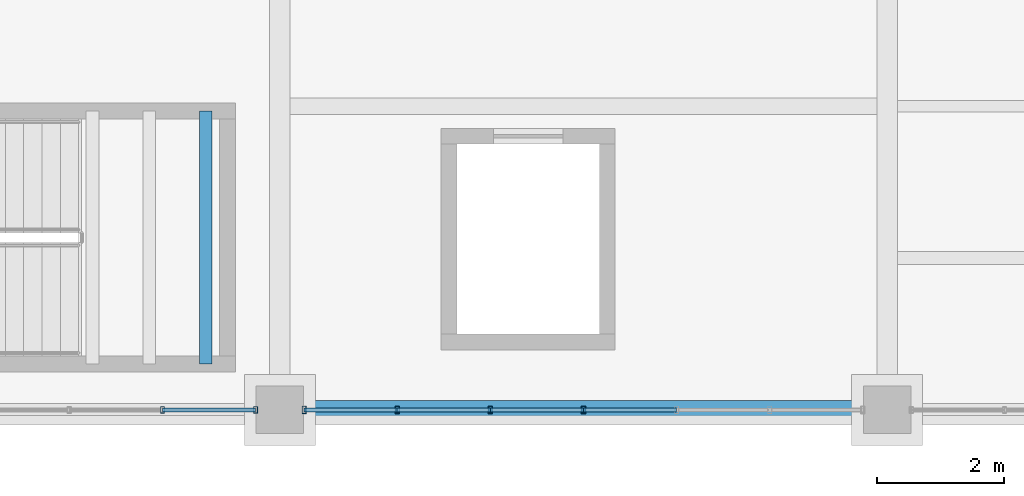
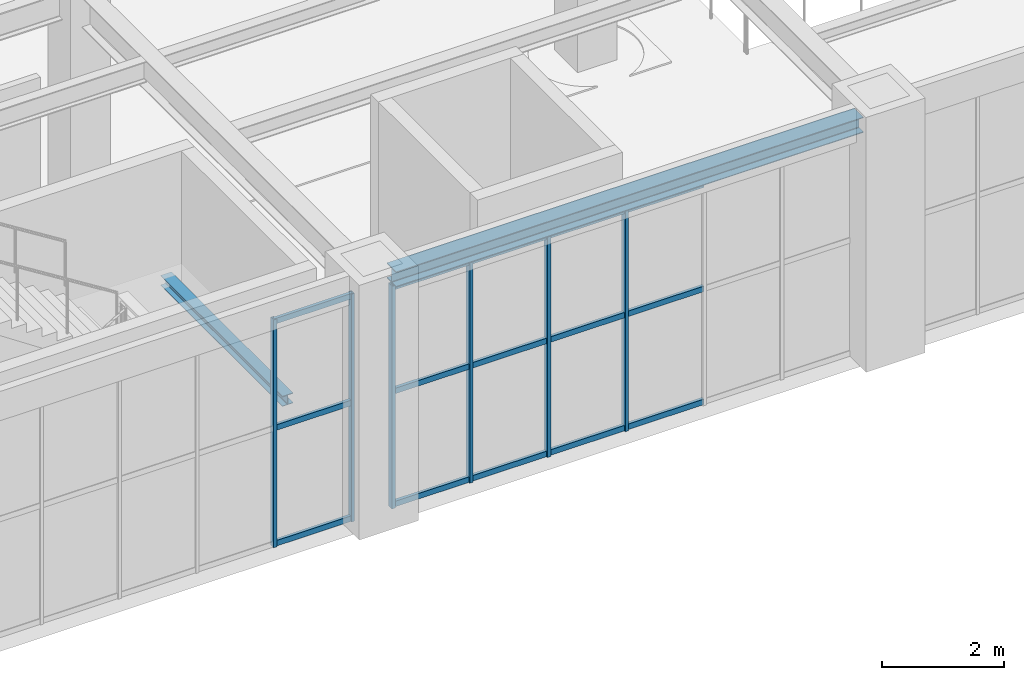
# One storey, part 6 of 174: 21 members, 2 beams, 2 elements without a shape of their own.
"""IFC4 building model written with IfcOpenShell, lengths in metres."""

from ifc_helpers import new_model, si_unit, direction, frame, origin, origin_2d, place, context, subcontext, project, spatial, hollow_rectangle, i_section, extrude, material, material_profile, profile_set, type_object, element, aggregate, save


model = new_model("IFC4")

# Units and contexts
model_context = context("Model", 3, precision=1e-05, world=origin(), true_north=direction((0.0, 1.0)))
body_context = subcontext(model_context, "Body", "Model", "MODEL_VIEW")
ifc_project = project(units=[si_unit("LENGTHUNIT", "METRE"), si_unit("AREAUNIT", "SQUARE_METRE"), si_unit("VOLUMEUNIT", "CUBIC_METRE"), si_unit("PLANEANGLEUNIT", "RADIAN"), si_unit("MASSUNIT", "GRAM", prefix="KILO")], contexts=[model_context])

# Site, building, storey
site_placement = place(None, origin())
site = spatial("IfcSite", under=ifc_project, at=site_placement, CompositionType="ELEMENT")
building_placement = place(site_placement, origin())
building = spatial("IfcBuilding", under=site, at=building_placement, Name="Mavantir Sound Aquarium", CompositionType="ELEMENT")
storey_placement = place(building_placement, frame((0.0, 0.0, 5.39990234375)))
storey = spatial("IfcBuildingStorey", under=building, at=storey_placement, Name="L01", CompositionType="ELEMENT", Elevation=5.39990234375)

# Beams
ifc_material_1 = material(Name="Structural Steel ASTM A992 Gr50", Category="steel")
ifc_material_profile_1 = material_profile(ifc_material_1, i_section(OverallWidth=0.202880859375, OverallDepth=0.202880859375, WebThickness=0.007080078125, FlangeThickness=0.010986328125, FilletRadius=0.010009765625, at=origin_2d()), Name="W200X46")
ifc_profile_set_1 = profile_set([ifc_material_profile_1], Name="Structural Steel ASTM A992 Gr50")
beam_type_1 = type_object("IfcBeamType", Name="BM-W200X46-I", PredefinedType="LINTEL", material=ifc_profile_set_1)
beam_1_placement = place(storey_placement, frame((8.429931640625, 0.72509765625, 2.24560546875), z_axis=(0.0, 1.0, 0.0), x_axis=(-1.0, 0.0, 0.0)))
element("IfcBeam", 1, at=beam_1_placement, inside=storey, type_object=beam_type_1, Name="Stair ST3 landing support beam 48", PredefinedType="LINTEL", context=body_context, shape_type="SweptSolid", body=[
    extrude(i_section(OverallWidth=0.202880859375, OverallDepth=0.202880859375, WebThickness=0.007080078125, FlangeThickness=0.010986328125, FilletRadius=0.010009765625, at=origin_2d()), origin(), (0.0, 0.0, 1.0), 4.0),
])
ifc_material_profile_2 = material_profile(ifc_material_1, i_section(OverallWidth=0.304931640625, OverallDepth=0.30810546875, WebThickness=0.010009765625, FlangeThickness=0.015380859375, FilletRadius=0.014892578125, at=origin_2d()), Name="W310X97")
ifc_profile_set_2 = profile_set([ifc_material_profile_2], Name="Structural Steel ASTM A992 Gr50")
beam_type_2 = type_object("IfcBeamType", Name="BM-W310X97-E", PredefinedType="SPANDREL", material=ifc_profile_set_2)
beam_2_placement = place(storey_placement, frame((9.97509765625, 0.0, 4.64208984375), z_axis=(1.0, 0.0, 0.0), x_axis=(0.0, 1.0, 0.0)))
element("IfcBeam", 2, at=beam_2_placement, inside=storey, type_object=beam_type_2, Name="L01 primary beam SS-31A 1207", PredefinedType="SPANDREL", context=body_context, shape_type="SweptSolid", body=[
    extrude(i_section(OverallWidth=0.304931640625, OverallDepth=0.30810546875, WebThickness=0.010009765625, FlangeThickness=0.015380859375, FilletRadius=0.014892578125, at=origin_2d()), origin(), (0.0, 0.0, 1.0), 8.849853515625),
])

# Curtain wall, members
ifc_material_2 = material(Name="Anodised Marine Aluminium and Low-E Glass", Category="aluminium")
curtain_wall_type_1 = type_object("IfcCurtainWallType", Name="CW-T05", PredefinedType="USERDEFINED", material=ifc_material_2)
curtain_wall_1_placement = place(storey_placement, origin())
curtain_wall_1 = element("IfcCurtainWall", 3, at=curtain_wall_1_placement, inside=storey, type_object=curtain_wall_type_1, Name="L01 unitised curtain wall CW-05 77", ObjectType="UNITISED GLAZING", PredefinedType="USERDEFINED")
ifc_material_3 = material(Name="Anodised Marine Aluminium 6063-T6", Category="aluminium")
ifc_material_profile_3 = material_profile(ifc_material_3, hollow_rectangle(XDim=0.06005859375, YDim=0.10009765625, WallThickness=0.00390625, at=origin_2d()), Name="ALU-MULLION-100X60")
ifc_profile_set_3 = profile_set([ifc_material_profile_3], Name="Anodised Marine Aluminium 6063-T6")
member_type_1 = type_object("IfcMemberType", Name="CW-MUL-100", PredefinedType="MULLION", material=ifc_profile_set_3)
member_1_placement = place(storey_placement, frame((7.74462890625, 0.0, 0.0), z_axis=(0.0, 0.0, 1.0), x_axis=(1.0, 0.0, 0.0)))
member_1 = element("IfcMember", 4, at=member_1_placement, type_object=member_type_1, Name="CW-L01-077 vertical mullion 6", PredefinedType="MULLION", context=body_context, shape_type="SweptSolid", body=[
    extrude(hollow_rectangle(XDim=0.06005859375, YDim=0.10009765625, WallThickness=0.00390625, at=origin_2d()), origin(), (0.0, 0.0, 1.0), 4.56298828125),
])
member_2_placement = place(storey_placement, frame((9.217041015625, 0.0, 0.0), z_axis=(0.0, 0.0, 1.0), x_axis=(1.0, 0.0, 0.0)))
member_2 = element("IfcMember", 5, at=member_2_placement, type_object=member_type_1, Name="CW-L01-077 vertical mullion 7", PredefinedType="MULLION", context=body_context, shape_type="SweptSolid", body=[
    extrude(hollow_rectangle(XDim=0.06005859375, YDim=0.10009765625, WallThickness=0.00390625, at=origin_2d()), origin(), (0.0, 0.0, 1.0), 4.56298828125),
])

curtain_wall_type_2 = type_object("IfcCurtainWallType", Name="CW-T06", PredefinedType="USERDEFINED", material=ifc_material_2)
curtain_wall_2_placement = place(storey_placement, origin())
curtain_wall_2 = element("IfcCurtainWall", 6, at=curtain_wall_2_placement, inside=storey, type_object=curtain_wall_type_2, Name="L01 unitised curtain wall CW-06 78", ObjectType="UNITISED GLAZING", PredefinedType="USERDEFINED")
ifc_material_profile_4 = material_profile(ifc_material_3, hollow_rectangle(XDim=0.06494140625, YDim=0.1201171875, WallThickness=0.00390625, at=origin_2d()), Name="ALU-MULLION-120X65")
ifc_profile_set_4 = profile_set([ifc_material_profile_4], Name="Anodised Marine Aluminium 6063-T6")
member_type_2 = type_object("IfcMemberType", Name="CW-MUL-120", PredefinedType="MULLION", material=ifc_profile_set_4)
member_3_placement = place(storey_placement, frame((9.98291015625, 0.0, 0.0), z_axis=(0.0, 0.0, 1.0), x_axis=(1.0, 0.0, 0.0)))
member_3 = element("IfcMember", 7, at=member_3_placement, type_object=member_type_2, Name="CW-L01-078 vertical mullion 1", PredefinedType="MULLION", context=body_context, shape_type="SweptSolid", body=[
    extrude(hollow_rectangle(XDim=0.06494140625, YDim=0.1201171875, WallThickness=0.00390625, at=origin_2d()), origin(), (0.0, 0.0, 1.0), 4.4580078125),
])
member_4_placement = place(storey_placement, frame((11.455322265625, 0.0, 0.0), z_axis=(0.0, 0.0, 1.0), x_axis=(1.0, 0.0, 0.0)))
member_4 = element("IfcMember", 8, at=member_4_placement, type_object=member_type_2, Name="CW-L01-078 vertical mullion 2", PredefinedType="MULLION", context=body_context, shape_type="SweptSolid", body=[
    extrude(hollow_rectangle(XDim=0.06494140625, YDim=0.1201171875, WallThickness=0.00390625, at=origin_2d()), origin(), (0.0, 0.0, 1.0), 4.4580078125),
])
member_5_placement = place(storey_placement, frame((12.927734375, 0.0, 0.0), z_axis=(0.0, 0.0, 1.0), x_axis=(1.0, 0.0, 0.0)))
member_5 = element("IfcMember", 9, at=member_5_placement, type_object=member_type_2, Name="CW-L01-078 vertical mullion 3", PredefinedType="MULLION", context=body_context, shape_type="SweptSolid", body=[
    extrude(hollow_rectangle(XDim=0.06494140625, YDim=0.1201171875, WallThickness=0.00390625, at=origin_2d()), origin(), (0.0, 0.0, 1.0), 4.4580078125),
])
member_6_placement = place(storey_placement, frame((14.39990234375, 0.0, 0.0), z_axis=(0.0, 0.0, 1.0), x_axis=(1.0, 0.0, 0.0)))
member_6 = element("IfcMember", 10, at=member_6_placement, type_object=member_type_2, Name="CW-L01-078 vertical mullion 4", PredefinedType="MULLION", context=body_context, shape_type="SweptSolid", body=[
    extrude(hollow_rectangle(XDim=0.06494140625, YDim=0.1201171875, WallThickness=0.00390625, at=origin_2d()), origin(), (0.0, 0.0, 1.0), 4.4580078125),
])

# Member
ifc_material_profile_5 = material_profile(ifc_material_3, hollow_rectangle(XDim=0.06005859375, YDim=0.110107421875, WallThickness=0.00390625, at=origin_2d()), Name="ALU-TRANSOM-110X60")
ifc_profile_set_5 = profile_set([ifc_material_profile_5], Name="Anodised Marine Aluminium 6063-T6")
member_type_3 = type_object("IfcMemberType", Name="CW-TRN-110", PredefinedType="USERDEFINED", material=ifc_profile_set_5)
member_7_placement = place(storey_placement, frame((7.74462890625, 0.0, 0.05517578125), z_axis=(1.0, 0.0, 0.0), x_axis=(0.0, 1.0, 0.0)))
member_7 = element("IfcMember", 11, at=member_7_placement, type_object=member_type_3, Name="CW-L01-077 transom 6.1", ObjectType="TRANSOM", PredefinedType="USERDEFINED", context=body_context, shape_type="SweptSolid", body=[
    extrude(hollow_rectangle(XDim=0.06005859375, YDim=0.110107421875, WallThickness=0.00390625, at=origin_2d()), origin(), (0.0, 0.0, 1.0), 1.472412109375),
])

member_8_placement = place(storey_placement, frame((7.74462890625, 0.0, 2.372802734375), z_axis=(1.0, 0.0, 0.0), x_axis=(0.0, 1.0, 0.0)))
member_8 = element("IfcMember", 12, at=member_8_placement, type_object=member_type_3, Name="CW-L01-077 transom 6.2", ObjectType="TRANSOM", PredefinedType="USERDEFINED", context=body_context, shape_type="SweptSolid", body=[
    extrude(hollow_rectangle(XDim=0.06005859375, YDim=0.110107421875, WallThickness=0.00390625, at=origin_2d()), origin(), (0.0, 0.0, 1.0), 1.472412109375),
])

member_9_placement = place(storey_placement, frame((7.74462890625, 0.0, 4.508056640625), z_axis=(1.0, 0.0, 0.0), x_axis=(0.0, 1.0, 0.0)))
member_9 = element("IfcMember", 13, at=member_9_placement, type_object=member_type_3, Name="CW-L01-077 transom 6.3", ObjectType="TRANSOM", PredefinedType="USERDEFINED", context=body_context, shape_type="SweptSolid", body=[
    extrude(hollow_rectangle(XDim=0.06005859375, YDim=0.110107421875, WallThickness=0.00390625, at=origin_2d()), origin(), (0.0, 0.0, 1.0), 1.472412109375),
])

aggregate(curtain_wall_1, [member_1, member_2, member_7, member_8, member_9])

member_10_placement = place(storey_placement, frame((9.98291015625, 0.0, 0.05517578125), z_axis=(1.0, 0.0, 0.0), x_axis=(0.0, 1.0, 0.0)))
member_10 = element("IfcMember", 14, at=member_10_placement, type_object=member_type_3, Name="CW-L01-078 transom 1.1", ObjectType="TRANSOM", PredefinedType="USERDEFINED", context=body_context, shape_type="SweptSolid", body=[
    extrude(hollow_rectangle(XDim=0.06005859375, YDim=0.110107421875, WallThickness=0.00390625, at=origin_2d()), origin(), (0.0, 0.0, 1.0), 1.472412109375),
])

member_11_placement = place(storey_placement, frame((9.98291015625, 0.0, 2.318359375), z_axis=(1.0, 0.0, 0.0), x_axis=(0.0, 1.0, 0.0)))
member_11 = element("IfcMember", 15, at=member_11_placement, type_object=member_type_3, Name="CW-L01-078 transom 1.2", ObjectType="TRANSOM", PredefinedType="USERDEFINED", context=body_context, shape_type="SweptSolid", body=[
    extrude(hollow_rectangle(XDim=0.06005859375, YDim=0.110107421875, WallThickness=0.00390625, at=origin_2d()), origin(), (0.0, 0.0, 1.0), 1.472412109375),
])

member_12_placement = place(storey_placement, frame((9.98291015625, 0.0, 4.403076171875), z_axis=(1.0, 0.0, 0.0), x_axis=(0.0, 1.0, 0.0)))
member_12 = element("IfcMember", 16, at=member_12_placement, type_object=member_type_3, Name="CW-L01-078 transom 1.3", ObjectType="TRANSOM", PredefinedType="USERDEFINED", context=body_context, shape_type="SweptSolid", body=[
    extrude(hollow_rectangle(XDim=0.06005859375, YDim=0.110107421875, WallThickness=0.00390625, at=origin_2d()), origin(), (0.0, 0.0, 1.0), 1.472412109375),
])

member_13_placement = place(storey_placement, frame((11.455322265625, 0.0, 0.05517578125), z_axis=(1.0, 0.0, 0.0), x_axis=(0.0, 1.0, 0.0)))
member_13 = element("IfcMember", 17, at=member_13_placement, type_object=member_type_3, Name="CW-L01-078 transom 2.1", ObjectType="TRANSOM", PredefinedType="USERDEFINED", context=body_context, shape_type="SweptSolid", body=[
    extrude(hollow_rectangle(XDim=0.06005859375, YDim=0.110107421875, WallThickness=0.00390625, at=origin_2d()), origin(), (0.0, 0.0, 1.0), 1.472412109375),
])

member_14_placement = place(storey_placement, frame((11.455322265625, 0.0, 2.318359375), z_axis=(1.0, 0.0, 0.0), x_axis=(0.0, 1.0, 0.0)))
member_14 = element("IfcMember", 18, at=member_14_placement, type_object=member_type_3, Name="CW-L01-078 transom 2.2", ObjectType="TRANSOM", PredefinedType="USERDEFINED", context=body_context, shape_type="SweptSolid", body=[
    extrude(hollow_rectangle(XDim=0.06005859375, YDim=0.110107421875, WallThickness=0.00390625, at=origin_2d()), origin(), (0.0, 0.0, 1.0), 1.472412109375),
])

member_15_placement = place(storey_placement, frame((11.455322265625, 0.0, 4.403076171875), z_axis=(1.0, 0.0, 0.0), x_axis=(0.0, 1.0, 0.0)))
member_15 = element("IfcMember", 19, at=member_15_placement, type_object=member_type_3, Name="CW-L01-078 transom 2.3", ObjectType="TRANSOM", PredefinedType="USERDEFINED", context=body_context, shape_type="SweptSolid", body=[
    extrude(hollow_rectangle(XDim=0.06005859375, YDim=0.110107421875, WallThickness=0.00390625, at=origin_2d()), origin(), (0.0, 0.0, 1.0), 1.472412109375),
])

member_16_placement = place(storey_placement, frame((12.927734375, 0.0, 0.05517578125), z_axis=(1.0, 0.0, 0.0), x_axis=(0.0, 1.0, 0.0)))
member_16 = element("IfcMember", 20, at=member_16_placement, type_object=member_type_3, Name="CW-L01-078 transom 3.1", ObjectType="TRANSOM", PredefinedType="USERDEFINED", context=body_context, shape_type="SweptSolid", body=[
    extrude(hollow_rectangle(XDim=0.06005859375, YDim=0.110107421875, WallThickness=0.00390625, at=origin_2d()), origin(), (0.0, 0.0, 1.0), 1.47216796875),
])

member_17_placement = place(storey_placement, frame((12.927734375, 0.0, 2.318359375), z_axis=(1.0, 0.0, 0.0), x_axis=(0.0, 1.0, 0.0)))
member_17 = element("IfcMember", 21, at=member_17_placement, type_object=member_type_3, Name="CW-L01-078 transom 3.2", ObjectType="TRANSOM", PredefinedType="USERDEFINED", context=body_context, shape_type="SweptSolid", body=[
    extrude(hollow_rectangle(XDim=0.06005859375, YDim=0.110107421875, WallThickness=0.00390625, at=origin_2d()), origin(), (0.0, 0.0, 1.0), 1.47216796875),
])

member_18_placement = place(storey_placement, frame((12.927734375, 0.0, 4.403076171875), z_axis=(1.0, 0.0, 0.0), x_axis=(0.0, 1.0, 0.0)))
member_18 = element("IfcMember", 22, at=member_18_placement, type_object=member_type_3, Name="CW-L01-078 transom 3.3", ObjectType="TRANSOM", PredefinedType="USERDEFINED", context=body_context, shape_type="SweptSolid", body=[
    extrude(hollow_rectangle(XDim=0.06005859375, YDim=0.110107421875, WallThickness=0.00390625, at=origin_2d()), origin(), (0.0, 0.0, 1.0), 1.47216796875),
])

member_19_placement = place(storey_placement, frame((14.39990234375, 0.0, 0.05517578125), z_axis=(1.0, 0.0, 0.0), x_axis=(0.0, 1.0, 0.0)))
member_19 = element("IfcMember", 23, at=member_19_placement, type_object=member_type_3, Name="CW-L01-078 transom 4.1", ObjectType="TRANSOM", PredefinedType="USERDEFINED", context=body_context, shape_type="SweptSolid", body=[
    extrude(hollow_rectangle(XDim=0.06005859375, YDim=0.110107421875, WallThickness=0.00390625, at=origin_2d()), origin(), (0.0, 0.0, 1.0), 1.472412109375),
])

member_20_placement = place(storey_placement, frame((14.39990234375, 0.0, 2.318359375), z_axis=(1.0, 0.0, 0.0), x_axis=(0.0, 1.0, 0.0)))
member_20 = element("IfcMember", 24, at=member_20_placement, type_object=member_type_3, Name="CW-L01-078 transom 4.2", ObjectType="TRANSOM", PredefinedType="USERDEFINED", context=body_context, shape_type="SweptSolid", body=[
    extrude(hollow_rectangle(XDim=0.06005859375, YDim=0.110107421875, WallThickness=0.00390625, at=origin_2d()), origin(), (0.0, 0.0, 1.0), 1.472412109375),
])

member_21_placement = place(storey_placement, frame((14.39990234375, 0.0, 4.403076171875), z_axis=(1.0, 0.0, 0.0), x_axis=(0.0, 1.0, 0.0)))
member_21 = element("IfcMember", 25, at=member_21_placement, type_object=member_type_3, Name="CW-L01-078 transom 4.3", ObjectType="TRANSOM", PredefinedType="USERDEFINED", context=body_context, shape_type="SweptSolid", body=[
    extrude(hollow_rectangle(XDim=0.06005859375, YDim=0.110107421875, WallThickness=0.00390625, at=origin_2d()), origin(), (0.0, 0.0, 1.0), 1.472412109375),
])

aggregate(curtain_wall_2, [member_3, member_4, member_5, member_6, member_10, member_11, member_12, member_13, member_14, member_15, member_16, member_17, member_18, member_19, member_20, member_21])

save(model, "model.ifc")
